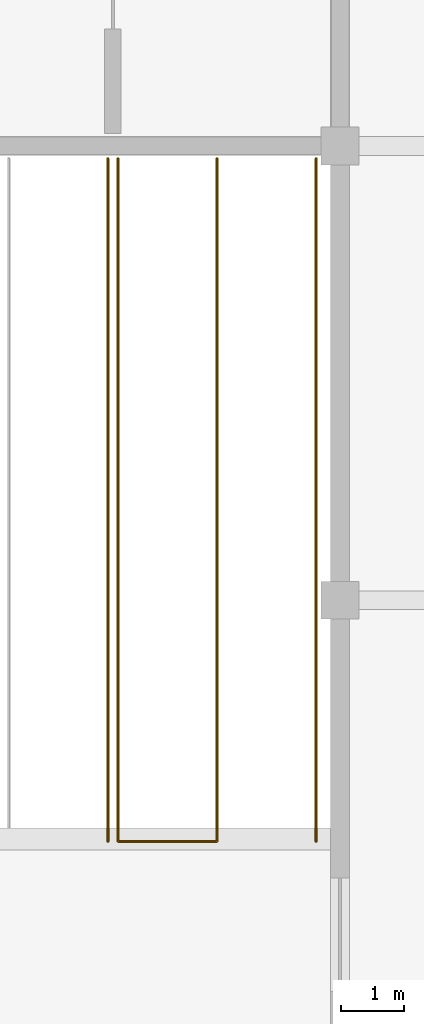
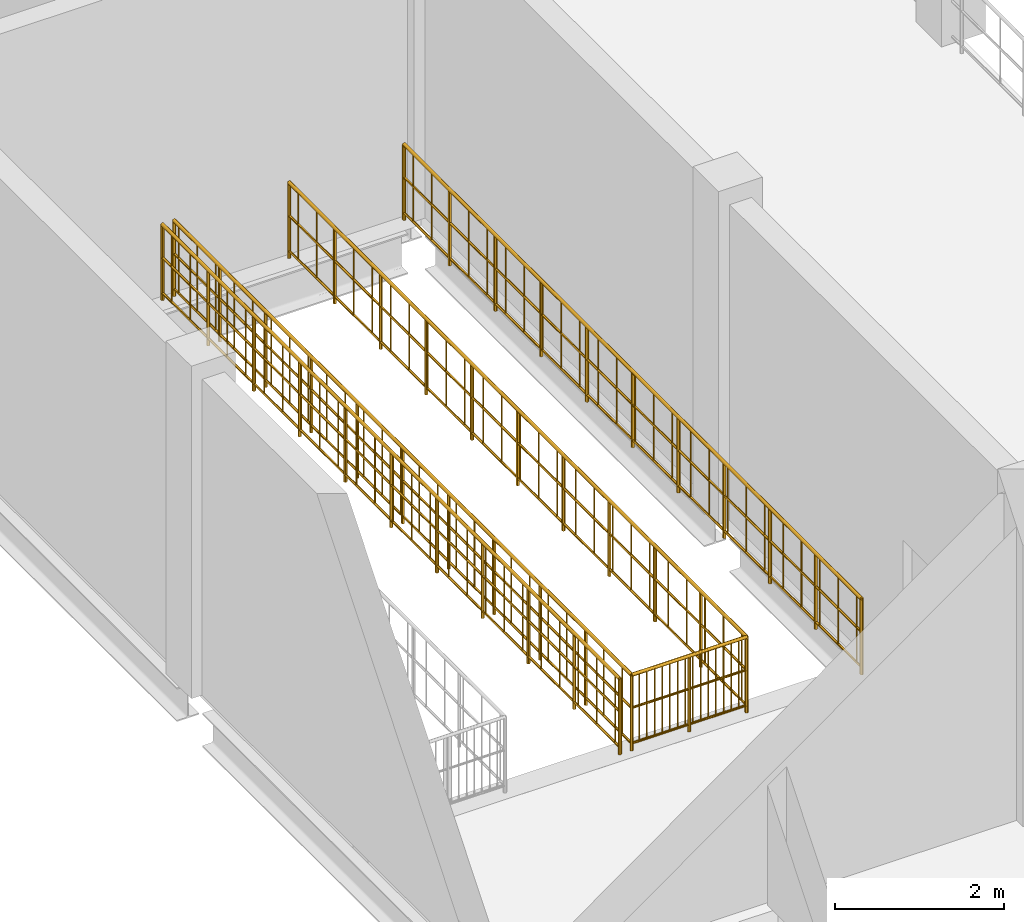
# One storey, part 107 of 120: 3 railings.
"""IFC4 building model written with IfcOpenShell, lengths in metres."""

from ifc_helpers import new_model, si_unit, direction, frame, origin, origin_2d, place, context, subcontext, project, spatial, circle, extrude, material, type_object, element, save


model = new_model("IFC4")

# Units and contexts
model_context = context("Model", 3, precision=1e-05, world=origin(), true_north=direction((0.0, 1.0)))
body_context = subcontext(model_context, "Body", "Model", "MODEL_VIEW")
ifc_project = project(units=[si_unit("LENGTHUNIT", "METRE"), si_unit("AREAUNIT", "SQUARE_METRE"), si_unit("VOLUMEUNIT", "CUBIC_METRE"), si_unit("PLANEANGLEUNIT", "RADIAN"), si_unit("MASSUNIT", "GRAM", prefix="KILO")], contexts=[model_context])

# Site, building, storey
site_placement = place(None, origin())
site = spatial("IfcSite", under=ifc_project, at=site_placement, CompositionType="ELEMENT")
building_placement = place(site_placement, origin())
building = spatial("IfcBuilding", under=site, at=building_placement, Name="Vesperath Aquatics Centre", CompositionType="ELEMENT")
storey_placement = place(building_placement, frame((0.0, 0.0, 10.199951171875)))
storey = spatial("IfcBuildingStorey", under=building, at=storey_placement, Name="L02", CompositionType="ELEMENT", Elevation=10.199951171875)

# Railings
ifc_material = material(Name="Powder-coated galvanized steel safety guard", Category="steel")
railing_type = type_object("IfcRailingType", Name="RL-GRD01", PredefinedType="GUARDRAIL", material=ifc_material)
railing_1_placement = place(storey_placement, frame((3.52001953125, 46.580078125, 0.0)))
element("IfcRailing", 1, at=railing_1_placement, inside=storey, type_object=railing_type, Name="Stair ST11A Top Side Guard GR02 L02", PredefinedType="GUARDRAIL", context=body_context, shape_type="SweptSolid", body=[
    extrude(circle(Radius=0.02392578125, at=origin_2d()), frame((0.0, 0.0, 1.0859375), z_axis=(0.0, 1.0, 0.0), x_axis=(-1.0, 0.0, 0.0)), (0.0, 0.0, 1.0), 10.81982421875),
    extrude(circle(Radius=0.01611328125, at=origin_2d()), frame((0.0, 0.0, 0.10009765625), z_axis=(0.0, 1.0, 0.0), x_axis=(-1.0, 0.0, 0.0)), (0.0, 0.0, 1.0), 10.81982421875),
    extrude(circle(Radius=0.01611328125, at=origin_2d()), frame((0.0, 0.0, 0.610595703125), z_axis=(0.0, 1.0, 0.0), x_axis=(-1.0, 0.0, 0.0)), (0.0, 0.0, 1.0), 10.81982421875),
    extrude(circle(Radius=0.009033203125, at=origin_2d()), frame((0.0, 0.109375, 0.10009765625)), (0.0, 0.0, 1.0), 0.9619140625),
    extrude(circle(Radius=0.009033203125, at=origin_2d()), frame((0.0, 0.54638671875, 0.10009765625)), (0.0, 0.0, 1.0), 0.9619140625),
    extrude(circle(Radius=0.009033203125, at=origin_2d()), frame((0.0, 0.983642578125, 0.10009765625)), (0.0, 0.0, 1.0), 0.9619140625),
    extrude(circle(Radius=0.009033203125, at=origin_2d()), frame((0.0, 1.4208984375, 0.10009765625)), (0.0, 0.0, 1.0), 0.9619140625),
    extrude(circle(Radius=0.009033203125, at=origin_2d()), frame((0.0, 1.85791015625, 0.10009765625)), (0.0, 0.0, 1.0), 0.9619140625),
    extrude(circle(Radius=0.009033203125, at=origin_2d()), frame((0.0, 2.295166015625, 0.10009765625)), (0.0, 0.0, 1.0), 0.9619140625),
    extrude(circle(Radius=0.009033203125, at=origin_2d()), frame((0.0, 2.732177734375, 0.10009765625)), (0.0, 0.0, 1.0), 0.9619140625),
    extrude(circle(Radius=0.009033203125, at=origin_2d()), frame((0.0, 3.16943359375, 0.10009765625)), (0.0, 0.0, 1.0), 0.9619140625),
    extrude(circle(Radius=0.009033203125, at=origin_2d()), frame((0.0, 3.606689453125, 0.10009765625)), (0.0, 0.0, 1.0), 0.9619140625),
    extrude(circle(Radius=0.009033203125, at=origin_2d()), frame((0.0, 4.043701171875, 0.10009765625)), (0.0, 0.0, 1.0), 0.9619140625),
    extrude(circle(Radius=0.009033203125, at=origin_2d()), frame((0.0, 4.48095703125, 0.10009765625)), (0.0, 0.0, 1.0), 0.9619140625),
    extrude(circle(Radius=0.009033203125, at=origin_2d()), frame((0.0, 4.918212890625, 0.10009765625)), (0.0, 0.0, 1.0), 0.9619140625),
    extrude(circle(Radius=0.009033203125, at=origin_2d()), frame((0.0, 5.355224609375, 0.10009765625)), (0.0, 0.0, 1.0), 0.9619140625),
    extrude(circle(Radius=0.009033203125, at=origin_2d()), frame((0.0, 5.79248046875, 0.10009765625)), (0.0, 0.0, 1.0), 0.9619140625),
    extrude(circle(Radius=0.009033203125, at=origin_2d()), frame((0.0, 6.2294921875, 0.10009765625)), (0.0, 0.0, 1.0), 0.9619140625),
    extrude(circle(Radius=0.009033203125, at=origin_2d()), frame((0.0, 6.666748046875, 0.10009765625)), (0.0, 0.0, 1.0), 0.9619140625),
    extrude(circle(Radius=0.009033203125, at=origin_2d()), frame((0.0, 7.10400390625, 0.10009765625)), (0.0, 0.0, 1.0), 0.9619140625),
    extrude(circle(Radius=0.009033203125, at=origin_2d()), frame((0.0, 7.541015625, 0.10009765625)), (0.0, 0.0, 1.0), 0.9619140625),
    extrude(circle(Radius=0.009033203125, at=origin_2d()), frame((0.0, 7.978271484375, 0.10009765625)), (0.0, 0.0, 1.0), 0.9619140625),
    extrude(circle(Radius=0.009033203125, at=origin_2d()), frame((0.0, 8.41552734375, 0.10009765625)), (0.0, 0.0, 1.0), 0.9619140625),
    extrude(circle(Radius=0.009033203125, at=origin_2d()), frame((0.0, 8.8525390625, 0.10009765625)), (0.0, 0.0, 1.0), 0.9619140625),
    extrude(circle(Radius=0.009033203125, at=origin_2d()), frame((0.0, 9.289794921875, 0.10009765625)), (0.0, 0.0, 1.0), 0.9619140625),
    extrude(circle(Radius=0.009033203125, at=origin_2d()), frame((0.0, 9.726806640625, 0.10009765625)), (0.0, 0.0, 1.0), 0.9619140625),
    extrude(circle(Radius=0.009033203125, at=origin_2d()), frame((0.0, 10.1640625, 0.10009765625)), (0.0, 0.0, 1.0), 0.9619140625),
    extrude(circle(Radius=0.009033203125, at=origin_2d()), frame((0.0, 10.601318359375, 0.10009765625)), (0.0, 0.0, 1.0), 0.9619140625),
    extrude(circle(Radius=0.02197265625, at=origin_2d()), origin(), (0.0, 0.0, 1.0), 1.0859375),
    extrude(circle(Radius=0.02197265625, at=origin_2d()), frame((0.0, 1.08203125, 0.0)), (0.0, 0.0, 1.0), 1.0859375),
    extrude(circle(Radius=0.02197265625, at=origin_2d()), frame((0.0, 2.1640625, 0.0)), (0.0, 0.0, 1.0), 1.0859375),
    extrude(circle(Radius=0.02197265625, at=origin_2d()), frame((0.0, 3.245849609375, 0.0)), (0.0, 0.0, 1.0), 1.0859375),
    extrude(circle(Radius=0.02197265625, at=origin_2d()), frame((0.0, 4.327880859375, 0.0)), (0.0, 0.0, 1.0), 1.0859375),
    extrude(circle(Radius=0.02197265625, at=origin_2d()), frame((0.0, 5.409912109375, 0.0)), (0.0, 0.0, 1.0), 1.0859375),
    extrude(circle(Radius=0.02197265625, at=origin_2d()), frame((0.0, 6.491943359375, 0.0)), (0.0, 0.0, 1.0), 1.0859375),
    extrude(circle(Radius=0.02197265625, at=origin_2d()), frame((0.0, 7.573974609375, 0.0)), (0.0, 0.0, 1.0), 1.0859375),
    extrude(circle(Radius=0.02197265625, at=origin_2d()), frame((0.0, 8.65576171875, 0.0)), (0.0, 0.0, 1.0), 1.0859375),
    extrude(circle(Radius=0.02197265625, at=origin_2d()), frame((0.0, 9.73779296875, 0.0)), (0.0, 0.0, 1.0), 1.0859375),
    extrude(circle(Radius=0.02197265625, at=origin_2d()), frame((0.0, 10.81982421875, 0.0)), (0.0, 0.0, 1.0), 1.0859375),
])
railing_2_placement = place(storey_placement, frame((3.679931640625, 57.39990234375, 0.0)))
element("IfcRailing", 2, at=railing_2_placement, inside=storey, type_object=railing_type, Name="Stair ST11B Top Well Guard GR02 L02", PredefinedType="GUARDRAIL", context=body_context, shape_type="SweptSolid", body=[
    extrude(circle(Radius=0.02392578125, at=origin_2d()), frame((0.0, 0.0, 1.0859375), z_axis=(0.0, -1.0, 0.0), x_axis=(1.0, 0.0, 0.0)), (0.0, 0.0, 1.0), 10.81982421875),
    extrude(circle(Radius=0.01611328125, at=origin_2d()), frame((0.0, 0.0, 0.10009765625), z_axis=(0.0, -1.0, 0.0), x_axis=(1.0, 0.0, 0.0)), (0.0, 0.0, 1.0), 10.81982421875),
    extrude(circle(Radius=0.01611328125, at=origin_2d()), frame((0.0, 0.0, 0.610595703125), z_axis=(0.0, -1.0, 0.0), x_axis=(1.0, 0.0, 0.0)), (0.0, 0.0, 1.0), 10.81982421875),
    extrude(circle(Radius=0.009033203125, at=origin_2d()), frame((0.0, -0.109375, 0.10009765625)), (0.0, 0.0, 1.0), 0.9619140625),
    extrude(circle(Radius=0.009033203125, at=origin_2d()), frame((0.0, -0.54638671875, 0.10009765625)), (0.0, 0.0, 1.0), 0.9619140625),
    extrude(circle(Radius=0.009033203125, at=origin_2d()), frame((0.0, -0.983642578125, 0.10009765625)), (0.0, 0.0, 1.0), 0.9619140625),
    extrude(circle(Radius=0.009033203125, at=origin_2d()), frame((0.0, -1.4208984375, 0.10009765625)), (0.0, 0.0, 1.0), 0.9619140625),
    extrude(circle(Radius=0.009033203125, at=origin_2d()), frame((0.0, -1.85791015625, 0.10009765625)), (0.0, 0.0, 1.0), 0.9619140625),
    extrude(circle(Radius=0.009033203125, at=origin_2d()), frame((0.0, -2.295166015625, 0.10009765625)), (0.0, 0.0, 1.0), 0.9619140625),
    extrude(circle(Radius=0.009033203125, at=origin_2d()), frame((0.0, -2.732177734375, 0.10009765625)), (0.0, 0.0, 1.0), 0.9619140625),
    extrude(circle(Radius=0.009033203125, at=origin_2d()), frame((0.0, -3.16943359375, 0.10009765625)), (0.0, 0.0, 1.0), 0.9619140625),
    extrude(circle(Radius=0.009033203125, at=origin_2d()), frame((0.0, -3.606689453125, 0.10009765625)), (0.0, 0.0, 1.0), 0.9619140625),
    extrude(circle(Radius=0.009033203125, at=origin_2d()), frame((0.0, -4.043701171875, 0.10009765625)), (0.0, 0.0, 1.0), 0.9619140625),
    extrude(circle(Radius=0.009033203125, at=origin_2d()), frame((0.0, -4.48095703125, 0.10009765625)), (0.0, 0.0, 1.0), 0.9619140625),
    extrude(circle(Radius=0.009033203125, at=origin_2d()), frame((0.0, -4.918212890625, 0.10009765625)), (0.0, 0.0, 1.0), 0.9619140625),
    extrude(circle(Radius=0.009033203125, at=origin_2d()), frame((0.0, -5.355224609375, 0.10009765625)), (0.0, 0.0, 1.0), 0.9619140625),
    extrude(circle(Radius=0.009033203125, at=origin_2d()), frame((0.0, -5.79248046875, 0.10009765625)), (0.0, 0.0, 1.0), 0.9619140625),
    extrude(circle(Radius=0.009033203125, at=origin_2d()), frame((0.0, -6.2294921875, 0.10009765625)), (0.0, 0.0, 1.0), 0.9619140625),
    extrude(circle(Radius=0.009033203125, at=origin_2d()), frame((0.0, -6.666748046875, 0.10009765625)), (0.0, 0.0, 1.0), 0.9619140625),
    extrude(circle(Radius=0.009033203125, at=origin_2d()), frame((0.0, -7.10400390625, 0.10009765625)), (0.0, 0.0, 1.0), 0.9619140625),
    extrude(circle(Radius=0.009033203125, at=origin_2d()), frame((0.0, -7.541015625, 0.10009765625)), (0.0, 0.0, 1.0), 0.9619140625),
    extrude(circle(Radius=0.009033203125, at=origin_2d()), frame((0.0, -7.978271484375, 0.10009765625)), (0.0, 0.0, 1.0), 0.9619140625),
    extrude(circle(Radius=0.009033203125, at=origin_2d()), frame((0.0, -8.41552734375, 0.10009765625)), (0.0, 0.0, 1.0), 0.9619140625),
    extrude(circle(Radius=0.009033203125, at=origin_2d()), frame((0.0, -8.8525390625, 0.10009765625)), (0.0, 0.0, 1.0), 0.9619140625),
    extrude(circle(Radius=0.009033203125, at=origin_2d()), frame((0.0, -9.289794921875, 0.10009765625)), (0.0, 0.0, 1.0), 0.9619140625),
    extrude(circle(Radius=0.009033203125, at=origin_2d()), frame((0.0, -9.726806640625, 0.10009765625)), (0.0, 0.0, 1.0), 0.9619140625),
    extrude(circle(Radius=0.009033203125, at=origin_2d()), frame((0.0, -10.1640625, 0.10009765625)), (0.0, 0.0, 1.0), 0.9619140625),
    extrude(circle(Radius=0.009033203125, at=origin_2d()), frame((0.0, -10.601318359375, 0.10009765625)), (0.0, 0.0, 1.0), 0.9619140625),
    extrude(circle(Radius=0.02392578125, at=origin_2d()), frame((0.0, -10.81982421875, 1.0859375), z_axis=(1.0, 0.0, 0.0), x_axis=(0.0, 1.0, 0.0)), (0.0, 0.0, 1.0), 1.570068359375),
    extrude(circle(Radius=0.01611328125, at=origin_2d()), frame((0.0, -10.81982421875, 0.10009765625), z_axis=(1.0, 0.0, 0.0), x_axis=(0.0, 1.0, 0.0)), (0.0, 0.0, 1.0), 1.570068359375),
    extrude(circle(Radius=0.01611328125, at=origin_2d()), frame((0.0, -10.81982421875, 0.610595703125), z_axis=(1.0, 0.0, 0.0), x_axis=(0.0, 1.0, 0.0)), (0.0, 0.0, 1.0), 1.570068359375),
    extrude(circle(Radius=0.009033203125, at=origin_2d()), frame((0.104736328125, -10.81982421875, 0.10009765625)), (0.0, 0.0, 1.0), 0.9619140625),
    extrude(circle(Radius=0.009033203125, at=origin_2d()), frame((0.209228515625, -10.81982421875, 0.10009765625)), (0.0, 0.0, 1.0), 0.9619140625),
    extrude(circle(Radius=0.009033203125, at=origin_2d()), frame((0.31396484375, -10.81982421875, 0.10009765625)), (0.0, 0.0, 1.0), 0.9619140625),
    extrude(circle(Radius=0.009033203125, at=origin_2d()), frame((0.418701171875, -10.81982421875, 0.10009765625)), (0.0, 0.0, 1.0), 0.9619140625),
    extrude(circle(Radius=0.009033203125, at=origin_2d()), frame((0.5234375, -10.81982421875, 0.10009765625)), (0.0, 0.0, 1.0), 0.9619140625),
    extrude(circle(Radius=0.009033203125, at=origin_2d()), frame((0.6279296875, -10.81982421875, 0.10009765625)), (0.0, 0.0, 1.0), 0.9619140625),
    extrude(circle(Radius=0.009033203125, at=origin_2d()), frame((0.732666015625, -10.81982421875, 0.10009765625)), (0.0, 0.0, 1.0), 0.9619140625),
    extrude(circle(Radius=0.009033203125, at=origin_2d()), frame((0.83740234375, -10.81982421875, 0.10009765625)), (0.0, 0.0, 1.0), 0.9619140625),
    extrude(circle(Radius=0.009033203125, at=origin_2d()), frame((0.942138671875, -10.81982421875, 0.10009765625)), (0.0, 0.0, 1.0), 0.9619140625),
    extrude(circle(Radius=0.009033203125, at=origin_2d()), frame((1.046630859375, -10.81982421875, 0.10009765625)), (0.0, 0.0, 1.0), 0.9619140625),
    extrude(circle(Radius=0.009033203125, at=origin_2d()), frame((1.1513671875, -10.81982421875, 0.10009765625)), (0.0, 0.0, 1.0), 0.9619140625),
    extrude(circle(Radius=0.009033203125, at=origin_2d()), frame((1.256103515625, -10.81982421875, 0.10009765625)), (0.0, 0.0, 1.0), 0.9619140625),
    extrude(circle(Radius=0.009033203125, at=origin_2d()), frame((1.36083984375, -10.81982421875, 0.10009765625)), (0.0, 0.0, 1.0), 0.9619140625),
    extrude(circle(Radius=0.009033203125, at=origin_2d()), frame((1.46533203125, -10.81982421875, 0.10009765625)), (0.0, 0.0, 1.0), 0.9619140625),
    extrude(circle(Radius=0.02392578125, at=origin_2d()), frame((1.570068359375, -10.81982421875, 1.0859375), z_axis=(0.0, 1.0, 0.0), x_axis=(-1.0, 0.0, 0.0)), (0.0, 0.0, 1.0), 10.81982421875),
    extrude(circle(Radius=0.01611328125, at=origin_2d()), frame((1.570068359375, -10.81982421875, 0.10009765625), z_axis=(0.0, 1.0, 0.0), x_axis=(-1.0, 0.0, 0.0)), (0.0, 0.0, 1.0), 10.81982421875),
    extrude(circle(Radius=0.01611328125, at=origin_2d()), frame((1.570068359375, -10.81982421875, 0.610595703125), z_axis=(0.0, 1.0, 0.0), x_axis=(-1.0, 0.0, 0.0)), (0.0, 0.0, 1.0), 10.81982421875),
    extrude(circle(Radius=0.009033203125, at=origin_2d()), frame((1.570068359375, -10.71044921875, 0.10009765625)), (0.0, 0.0, 1.0), 0.9619140625),
    extrude(circle(Radius=0.009033203125, at=origin_2d()), frame((1.570068359375, -10.2734375, 0.10009765625)), (0.0, 0.0, 1.0), 0.9619140625),
    extrude(circle(Radius=0.009033203125, at=origin_2d()), frame((1.570068359375, -9.836181640625, 0.10009765625)), (0.0, 0.0, 1.0), 0.9619140625),
    extrude(circle(Radius=0.009033203125, at=origin_2d()), frame((1.570068359375, -9.39892578125, 0.10009765625)), (0.0, 0.0, 1.0), 0.9619140625),
    extrude(circle(Radius=0.009033203125, at=origin_2d()), frame((1.570068359375, -8.9619140625, 0.10009765625)), (0.0, 0.0, 1.0), 0.9619140625),
    extrude(circle(Radius=0.009033203125, at=origin_2d()), frame((1.570068359375, -8.524658203125, 0.10009765625)), (0.0, 0.0, 1.0), 0.9619140625),
    extrude(circle(Radius=0.009033203125, at=origin_2d()), frame((1.570068359375, -8.087646484375, 0.10009765625)), (0.0, 0.0, 1.0), 0.9619140625),
    extrude(circle(Radius=0.009033203125, at=origin_2d()), frame((1.570068359375, -7.650390625, 0.10009765625)), (0.0, 0.0, 1.0), 0.9619140625),
    extrude(circle(Radius=0.009033203125, at=origin_2d()), frame((1.570068359375, -7.213134765625, 0.10009765625)), (0.0, 0.0, 1.0), 0.9619140625),
    extrude(circle(Radius=0.009033203125, at=origin_2d()), frame((1.570068359375, -6.776123046875, 0.10009765625)), (0.0, 0.0, 1.0), 0.9619140625),
    extrude(circle(Radius=0.009033203125, at=origin_2d()), frame((1.570068359375, -6.3388671875, 0.10009765625)), (0.0, 0.0, 1.0), 0.9619140625),
    extrude(circle(Radius=0.009033203125, at=origin_2d()), frame((1.570068359375, -5.901611328125, 0.10009765625)), (0.0, 0.0, 1.0), 0.9619140625),
    extrude(circle(Radius=0.009033203125, at=origin_2d()), frame((1.570068359375, -5.464599609375, 0.10009765625)), (0.0, 0.0, 1.0), 0.9619140625),
    extrude(circle(Radius=0.009033203125, at=origin_2d()), frame((1.570068359375, -5.02734375, 0.10009765625)), (0.0, 0.0, 1.0), 0.9619140625),
    extrude(circle(Radius=0.009033203125, at=origin_2d()), frame((1.570068359375, -4.59033203125, 0.10009765625)), (0.0, 0.0, 1.0), 0.9619140625),
    extrude(circle(Radius=0.009033203125, at=origin_2d()), frame((1.570068359375, -4.153076171875, 0.10009765625)), (0.0, 0.0, 1.0), 0.9619140625),
    extrude(circle(Radius=0.009033203125, at=origin_2d()), frame((1.570068359375, -3.7158203125, 0.10009765625)), (0.0, 0.0, 1.0), 0.9619140625),
    extrude(circle(Radius=0.009033203125, at=origin_2d()), frame((1.570068359375, -3.27880859375, 0.10009765625)), (0.0, 0.0, 1.0), 0.9619140625),
    extrude(circle(Radius=0.009033203125, at=origin_2d()), frame((1.570068359375, -2.841552734375, 0.10009765625)), (0.0, 0.0, 1.0), 0.9619140625),
    extrude(circle(Radius=0.009033203125, at=origin_2d()), frame((1.570068359375, -2.404296875, 0.10009765625)), (0.0, 0.0, 1.0), 0.9619140625),
    extrude(circle(Radius=0.009033203125, at=origin_2d()), frame((1.570068359375, -1.96728515625, 0.10009765625)), (0.0, 0.0, 1.0), 0.9619140625),
    extrude(circle(Radius=0.009033203125, at=origin_2d()), frame((1.570068359375, -1.530029296875, 0.10009765625)), (0.0, 0.0, 1.0), 0.9619140625),
    extrude(circle(Radius=0.009033203125, at=origin_2d()), frame((1.570068359375, -1.093017578125, 0.10009765625)), (0.0, 0.0, 1.0), 0.9619140625),
    extrude(circle(Radius=0.009033203125, at=origin_2d()), frame((1.570068359375, -0.65576171875, 0.10009765625)), (0.0, 0.0, 1.0), 0.9619140625),
    extrude(circle(Radius=0.009033203125, at=origin_2d()), frame((1.570068359375, -0.218505859375, 0.10009765625)), (0.0, 0.0, 1.0), 0.9619140625),
    extrude(circle(Radius=0.02197265625, at=origin_2d()), origin(), (0.0, 0.0, 1.0), 1.0859375),
    extrude(circle(Radius=0.02197265625, at=origin_2d()), frame((0.0, -1.08203125, 0.0)), (0.0, 0.0, 1.0), 1.0859375),
    extrude(circle(Radius=0.02197265625, at=origin_2d()), frame((0.0, -2.1640625, 0.0)), (0.0, 0.0, 1.0), 1.0859375),
    extrude(circle(Radius=0.02197265625, at=origin_2d()), frame((0.0, -3.245849609375, 0.0)), (0.0, 0.0, 1.0), 1.0859375),
    extrude(circle(Radius=0.02197265625, at=origin_2d()), frame((0.0, -4.327880859375, 0.0)), (0.0, 0.0, 1.0), 1.0859375),
    extrude(circle(Radius=0.02197265625, at=origin_2d()), frame((0.0, -5.409912109375, 0.0)), (0.0, 0.0, 1.0), 1.0859375),
    extrude(circle(Radius=0.02197265625, at=origin_2d()), frame((0.0, -6.491943359375, 0.0)), (0.0, 0.0, 1.0), 1.0859375),
    extrude(circle(Radius=0.02197265625, at=origin_2d()), frame((0.0, -7.573974609375, 0.0)), (0.0, 0.0, 1.0), 1.0859375),
    extrude(circle(Radius=0.02197265625, at=origin_2d()), frame((0.0, -8.65576171875, 0.0)), (0.0, 0.0, 1.0), 1.0859375),
    extrude(circle(Radius=0.02197265625, at=origin_2d()), frame((0.0, -9.73779296875, 0.0)), (0.0, 0.0, 1.0), 1.0859375),
    extrude(circle(Radius=0.02197265625, at=origin_2d()), frame((0.0, -10.81982421875, 0.0)), (0.0, 0.0, 1.0), 1.0859375),
    extrude(circle(Radius=0.02197265625, at=origin_2d()), frame((0.78515625, -10.81982421875, 0.0)), (0.0, 0.0, 1.0), 1.0859375),
    extrude(circle(Radius=0.02197265625, at=origin_2d()), frame((1.570068359375, -10.81982421875, 0.0)), (0.0, 0.0, 1.0), 1.0859375),
    extrude(circle(Radius=0.02197265625, at=origin_2d()), frame((1.570068359375, -9.73779296875, 0.0)), (0.0, 0.0, 1.0), 1.0859375),
    extrude(circle(Radius=0.02197265625, at=origin_2d()), frame((1.570068359375, -8.65576171875, 0.0)), (0.0, 0.0, 1.0), 1.0859375),
    extrude(circle(Radius=0.02197265625, at=origin_2d()), frame((1.570068359375, -7.573974609375, 0.0)), (0.0, 0.0, 1.0), 1.0859375),
    extrude(circle(Radius=0.02197265625, at=origin_2d()), frame((1.570068359375, -6.491943359375, 0.0)), (0.0, 0.0, 1.0), 1.0859375),
    extrude(circle(Radius=0.02197265625, at=origin_2d()), frame((1.570068359375, -5.409912109375, 0.0)), (0.0, 0.0, 1.0), 1.0859375),
    extrude(circle(Radius=0.02197265625, at=origin_2d()), frame((1.570068359375, -4.327880859375, 0.0)), (0.0, 0.0, 1.0), 1.0859375),
    extrude(circle(Radius=0.02197265625, at=origin_2d()), frame((1.570068359375, -3.245849609375, 0.0)), (0.0, 0.0, 1.0), 1.0859375),
    extrude(circle(Radius=0.02197265625, at=origin_2d()), frame((1.570068359375, -2.1640625, 0.0)), (0.0, 0.0, 1.0), 1.0859375),
    extrude(circle(Radius=0.02197265625, at=origin_2d()), frame((1.570068359375, -1.08203125, 0.0)), (0.0, 0.0, 1.0), 1.0859375),
    extrude(circle(Radius=0.02197265625, at=origin_2d()), frame((1.570068359375, 0.0, 0.0)), (0.0, 0.0, 1.0), 1.0859375),
])
railing_3_placement = place(storey_placement, frame((6.820068359375, 46.580078125, 0.0)))
element("IfcRailing", 3, at=railing_3_placement, inside=storey, type_object=railing_type, Name="Stair ST11B Top Side Guard GR02 L02", PredefinedType="GUARDRAIL", context=body_context, shape_type="SweptSolid", body=[
    extrude(circle(Radius=0.02392578125, at=origin_2d()), frame((0.0, 0.0, 1.0859375), z_axis=(0.0, 1.0, 0.0), x_axis=(-1.0, 0.0, 0.0)), (0.0, 0.0, 1.0), 10.81982421875),
    extrude(circle(Radius=0.01611328125, at=origin_2d()), frame((0.0, 0.0, 0.10009765625), z_axis=(0.0, 1.0, 0.0), x_axis=(-1.0, 0.0, 0.0)), (0.0, 0.0, 1.0), 10.81982421875),
    extrude(circle(Radius=0.01611328125, at=origin_2d()), frame((0.0, 0.0, 0.610595703125), z_axis=(0.0, 1.0, 0.0), x_axis=(-1.0, 0.0, 0.0)), (0.0, 0.0, 1.0), 10.81982421875),
    extrude(circle(Radius=0.009033203125, at=origin_2d()), frame((0.0, 0.109375, 0.10009765625)), (0.0, 0.0, 1.0), 0.9619140625),
    extrude(circle(Radius=0.009033203125, at=origin_2d()), frame((0.0, 0.54638671875, 0.10009765625)), (0.0, 0.0, 1.0), 0.9619140625),
    extrude(circle(Radius=0.009033203125, at=origin_2d()), frame((0.0, 0.983642578125, 0.10009765625)), (0.0, 0.0, 1.0), 0.9619140625),
    extrude(circle(Radius=0.009033203125, at=origin_2d()), frame((0.0, 1.4208984375, 0.10009765625)), (0.0, 0.0, 1.0), 0.9619140625),
    extrude(circle(Radius=0.009033203125, at=origin_2d()), frame((0.0, 1.85791015625, 0.10009765625)), (0.0, 0.0, 1.0), 0.9619140625),
    extrude(circle(Radius=0.009033203125, at=origin_2d()), frame((0.0, 2.295166015625, 0.10009765625)), (0.0, 0.0, 1.0), 0.9619140625),
    extrude(circle(Radius=0.009033203125, at=origin_2d()), frame((0.0, 2.732177734375, 0.10009765625)), (0.0, 0.0, 1.0), 0.9619140625),
    extrude(circle(Radius=0.009033203125, at=origin_2d()), frame((0.0, 3.16943359375, 0.10009765625)), (0.0, 0.0, 1.0), 0.9619140625),
    extrude(circle(Radius=0.009033203125, at=origin_2d()), frame((0.0, 3.606689453125, 0.10009765625)), (0.0, 0.0, 1.0), 0.9619140625),
    extrude(circle(Radius=0.009033203125, at=origin_2d()), frame((0.0, 4.043701171875, 0.10009765625)), (0.0, 0.0, 1.0), 0.9619140625),
    extrude(circle(Radius=0.009033203125, at=origin_2d()), frame((0.0, 4.48095703125, 0.10009765625)), (0.0, 0.0, 1.0), 0.9619140625),
    extrude(circle(Radius=0.009033203125, at=origin_2d()), frame((0.0, 4.918212890625, 0.10009765625)), (0.0, 0.0, 1.0), 0.9619140625),
    extrude(circle(Radius=0.009033203125, at=origin_2d()), frame((0.0, 5.355224609375, 0.10009765625)), (0.0, 0.0, 1.0), 0.9619140625),
    extrude(circle(Radius=0.009033203125, at=origin_2d()), frame((0.0, 5.79248046875, 0.10009765625)), (0.0, 0.0, 1.0), 0.9619140625),
    extrude(circle(Radius=0.009033203125, at=origin_2d()), frame((0.0, 6.2294921875, 0.10009765625)), (0.0, 0.0, 1.0), 0.9619140625),
    extrude(circle(Radius=0.009033203125, at=origin_2d()), frame((0.0, 6.666748046875, 0.10009765625)), (0.0, 0.0, 1.0), 0.9619140625),
    extrude(circle(Radius=0.009033203125, at=origin_2d()), frame((0.0, 7.10400390625, 0.10009765625)), (0.0, 0.0, 1.0), 0.9619140625),
    extrude(circle(Radius=0.009033203125, at=origin_2d()), frame((0.0, 7.541015625, 0.10009765625)), (0.0, 0.0, 1.0), 0.9619140625),
    extrude(circle(Radius=0.009033203125, at=origin_2d()), frame((0.0, 7.978271484375, 0.10009765625)), (0.0, 0.0, 1.0), 0.9619140625),
    extrude(circle(Radius=0.009033203125, at=origin_2d()), frame((0.0, 8.41552734375, 0.10009765625)), (0.0, 0.0, 1.0), 0.9619140625),
    extrude(circle(Radius=0.009033203125, at=origin_2d()), frame((0.0, 8.8525390625, 0.10009765625)), (0.0, 0.0, 1.0), 0.9619140625),
    extrude(circle(Radius=0.009033203125, at=origin_2d()), frame((0.0, 9.289794921875, 0.10009765625)), (0.0, 0.0, 1.0), 0.9619140625),
    extrude(circle(Radius=0.009033203125, at=origin_2d()), frame((0.0, 9.726806640625, 0.10009765625)), (0.0, 0.0, 1.0), 0.9619140625),
    extrude(circle(Radius=0.009033203125, at=origin_2d()), frame((0.0, 10.1640625, 0.10009765625)), (0.0, 0.0, 1.0), 0.9619140625),
    extrude(circle(Radius=0.009033203125, at=origin_2d()), frame((0.0, 10.601318359375, 0.10009765625)), (0.0, 0.0, 1.0), 0.9619140625),
    extrude(circle(Radius=0.02197265625, at=origin_2d()), origin(), (0.0, 0.0, 1.0), 1.0859375),
    extrude(circle(Radius=0.02197265625, at=origin_2d()), frame((0.0, 1.08203125, 0.0)), (0.0, 0.0, 1.0), 1.0859375),
    extrude(circle(Radius=0.02197265625, at=origin_2d()), frame((0.0, 2.1640625, 0.0)), (0.0, 0.0, 1.0), 1.0859375),
    extrude(circle(Radius=0.02197265625, at=origin_2d()), frame((0.0, 3.245849609375, 0.0)), (0.0, 0.0, 1.0), 1.0859375),
    extrude(circle(Radius=0.02197265625, at=origin_2d()), frame((0.0, 4.327880859375, 0.0)), (0.0, 0.0, 1.0), 1.0859375),
    extrude(circle(Radius=0.02197265625, at=origin_2d()), frame((0.0, 5.409912109375, 0.0)), (0.0, 0.0, 1.0), 1.0859375),
    extrude(circle(Radius=0.02197265625, at=origin_2d()), frame((0.0, 6.491943359375, 0.0)), (0.0, 0.0, 1.0), 1.0859375),
    extrude(circle(Radius=0.02197265625, at=origin_2d()), frame((0.0, 7.573974609375, 0.0)), (0.0, 0.0, 1.0), 1.0859375),
    extrude(circle(Radius=0.02197265625, at=origin_2d()), frame((0.0, 8.65576171875, 0.0)), (0.0, 0.0, 1.0), 1.0859375),
    extrude(circle(Radius=0.02197265625, at=origin_2d()), frame((0.0, 9.73779296875, 0.0)), (0.0, 0.0, 1.0), 1.0859375),
    extrude(circle(Radius=0.02197265625, at=origin_2d()), frame((0.0, 10.81982421875, 0.0)), (0.0, 0.0, 1.0), 1.0859375),
])

save(model, "model.ifc")
